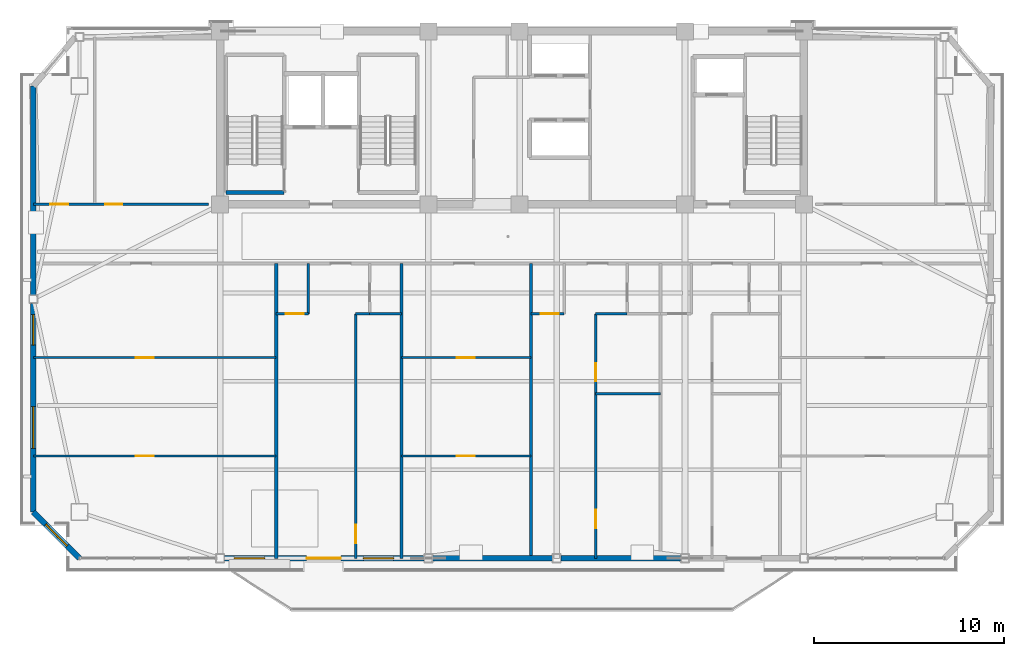
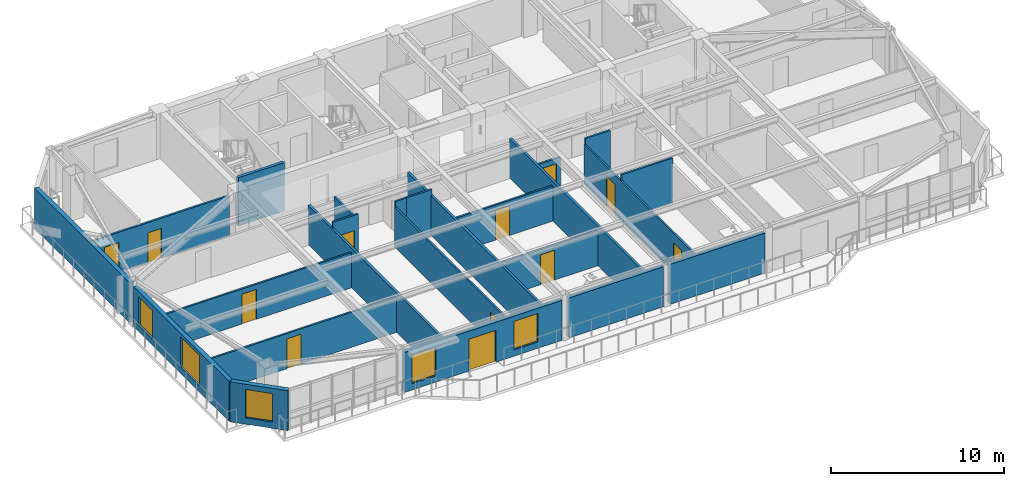
# One storey, part 7 of 15: 24 walls, 12 doors, 5 windows, 17 openings.
"""IFC4 building model written with IfcOpenShell, lengths in metres."""

from ifc_helpers import new_model, si_unit, direction, frame, frame_2d, origin, place, context, subcontext, project, spatial, rectangle, extrude, source, transform, mapped, material, layer, layer_set, type_object, element, fill, save


model = new_model("IFC4")

# Units and contexts
model_context = context("Model", 3, precision=1e-05, world=origin(), true_north=direction((0.0, 1.0)))
body_context = subcontext(model_context, "Body", "Model", "MODEL_VIEW")
ifc_project = project(units=[si_unit("LENGTHUNIT", "METRE"), si_unit("AREAUNIT", "SQUARE_METRE"), si_unit("VOLUMEUNIT", "CUBIC_METRE"), si_unit("PLANEANGLEUNIT", "RADIAN"), si_unit("MASSUNIT", "GRAM", prefix="KILO")], contexts=[model_context])

# Site, building, storey
site_placement = place(None, origin())
site = spatial("IfcSite", under=ifc_project, at=site_placement, CompositionType="ELEMENT")
building_placement = place(site_placement, origin())
building = spatial("IfcBuilding", under=site, at=building_placement, Name="Giltprow Tower", CompositionType="ELEMENT")
storey_placement = place(building_placement, frame((0.0, 0.0, 293.800048828125)))
storey = spatial("IfcBuildingStorey", under=building, at=storey_placement, Name="L75", CompositionType="ELEMENT", Elevation=293.800048828125)

# Wall, opening, window
ifc_material_1 = material(Name="Precast concrete C40", Category="concrete")
ifc_layer_1 = layer(ifc_material_1, 0.300048828125, Name="Precast concrete C40")
ifc_layer_set_1 = layer_set([ifc_layer_1], Name="Precast concrete C40")
wall_type_1 = type_object("IfcWallType", Name="EW-NOTCH-CHAMFER-300", PredefinedType="SOLIDWALL", material=ifc_layer_set_1)
wall_1_placement = place(storey_placement, frame((10.02392578125, 21.27197265625, 0.0), z_axis=(0.0, 0.0, 1.0), x_axis=(0.707142286536, -0.707071274055, 0.0)))
wall_1 = element("IfcWall", 1, at=wall_1_placement, inside=storey, type_object=wall_type_1, Name="L75 Corner Notch Wall SW", PredefinedType="SOLIDWALL", context=body_context, shape_type="SweptSolid", body=[
    extrude(rectangle(XDim=3.43798828125, YDim=0.300048828125, at=frame_2d((1.718994140625, 0.0))), origin(), (0.0, 0.0, 1.0), 2.81494140625),
])
opening_1_placement = place(wall_1_placement, frame((0.9189453125, 0.0, 0.449951171875)))
opening_1 = element("IfcOpeningElement", 2, at=opening_1_placement, cuts=wall_1, Name="Opening WN17", PredefinedType="OPENING", context=body_context, shape_type="SweptSolid", body=[
    extrude(rectangle(XDim=1.60009765625, YDim=2.0, at=frame_2d((0.800048828125, 1.0))), frame((0.0, 0.159912109375, 0.0), z_axis=(0.0, -1.0, 0.0), x_axis=(1.0, 0.0, 0.0)), (0.0, 0.0, 1.0), 0.320068359375),
])
ifc_material_2 = material(Name="Insulated glass", Category="glass")
window_type_1 = type_object("IfcWindowType", Name="WN-COR-1600x2000", PartitioningType="SINGLE_PANEL", PredefinedType="WINDOW", material=ifc_material_2)
shared_shape_1 = source(origin(), body_context, "Body", "SweptSolid", [
    extrude(rectangle(XDim=1.60009765625, YDim=2.0, at=frame_2d((0.800048828125, 1.0))), frame((0.0, 0.030029296875, 0.0), z_axis=(0.0, -1.0, 0.0), x_axis=(1.0, 0.0, 0.0)), (0.0, 0.0, 1.0), 0.06005859375),
])
window_1_placement = place(opening_1_placement, origin())
window_1 = element("IfcWindow", 3, at=window_1_placement, inside=storey, type_object=window_type_1, Name="L75 Corner Notch Window SW", OverallHeight=2.0, OverallWidth=1.60009765625, PartitioningType="SINGLE_PANEL", PredefinedType="WINDOW", context=body_context, shape_type="MappedRepresentation", body=[
    mapped(shared_shape_1, transform((0.0, 0.0, 0.0), x_axis=(1.0, 0.0, 0.0), y_axis=(0.0, 1.0, 0.0), z_axis=(0.0, 0.0, 1.0), scale=1.0)),
])
fill(opening_1, window_1)

# Wall, openings, windows, door
ifc_layer_2 = layer(ifc_material_1, 0.280029296875, Name="Precast concrete C40")
ifc_layer_set_2 = layer_set([ifc_layer_2], Name="Precast concrete C40")
wall_type_2 = type_object("IfcWallType", Name="EW-TOW-BRONZE-280", PredefinedType="SOLIDWALL", material=ifc_layer_set_2)
wall_2_placement = place(storey_placement, frame((20.074951171875, 18.841064453125, 0.0), z_axis=(0.0, 0.0, 1.0), x_axis=(1.0, 0.0, 0.0)))
wall_2 = element("IfcWall", 4, at=wall_2_placement, inside=storey, type_object=wall_type_2, Name="L75 South Expressed Frame Wall 2", PredefinedType="SOLIDWALL", context=body_context, shape_type="SweptSolid", body=[
    extrude(rectangle(XDim=10.5, YDim=0.280029296875, at=frame_2d((5.25, 0.0))), origin(), (0.0, 0.0, 1.0), 2.81494140625),
])
opening_2_placement = place(wall_2_placement, frame((4.324951171875, 0.0, 0.0)))
opening_2 = element("IfcOpeningElement", 5, at=opening_2_placement, cuts=wall_2, Name="Opening ED25", PredefinedType="OPENING", context=body_context, shape_type="SweptSolid", body=[
    extrude(rectangle(XDim=1.800048828125, YDim=2.25, at=frame_2d((0.89990234375, 1.125))), frame((0.0, 0.14990234375, 0.0), z_axis=(0.0, -1.0, 0.0), x_axis=(1.0, 0.0, 0.0)), (0.0, 0.0, 1.0), 0.300048828125),
])
opening_3_placement = place(wall_2_placement, frame((0.51708984375, 0.0, 0.449951171875)))
opening_3 = element("IfcOpeningElement", 6, at=opening_3_placement, cuts=wall_2, Name="Opening WN17", PredefinedType="OPENING", context=body_context, shape_type="SweptSolid", body=[
    extrude(rectangle(XDim=1.60009765625, YDim=2.0, at=frame_2d((0.800048828125, 1.0))), frame((0.0, 0.14990234375, 0.0), z_axis=(0.0, -1.0, 0.0), x_axis=(1.0, 0.0, 0.0)), (0.0, 0.0, 1.0), 0.300048828125),
])
opening_4_placement = place(wall_2_placement, frame((7.304931640625, 0.0, 0.449951171875)))
opening_4 = element("IfcOpeningElement", 7, at=opening_4_placement, cuts=wall_2, Name="Opening WN17", PredefinedType="OPENING", context=body_context, shape_type="SweptSolid", body=[
    extrude(rectangle(XDim=1.60009765625, YDim=2.0, at=frame_2d((0.800048828125, 1.0))), frame((0.0, 0.14990234375, 0.0), z_axis=(0.0, -1.0, 0.0), x_axis=(1.0, 0.0, 0.0)), (0.0, 0.0, 1.0), 0.300048828125),
])
window_2_placement = place(opening_3_placement, origin())
window_2 = element("IfcWindow", 8, at=window_2_placement, inside=storey, type_object=window_type_1, Name="L75 South Window 2A", OverallHeight=2.0, OverallWidth=1.60009765625, PartitioningType="SINGLE_PANEL", PredefinedType="WINDOW", context=body_context, shape_type="MappedRepresentation", body=[
    mapped(shared_shape_1, transform((0.0, 0.0, 0.0), x_axis=(1.0, 0.0, 0.0), y_axis=(0.0, 1.0, 0.0), z_axis=(0.0, 0.0, 1.0), scale=1.0)),
])
fill(opening_3, window_2)
window_3_placement = place(opening_4_placement, origin())
window_3 = element("IfcWindow", 9, at=window_3_placement, inside=storey, type_object=window_type_1, Name="L75 South Window 2B", OverallHeight=2.0, OverallWidth=1.60009765625, PartitioningType="SINGLE_PANEL", PredefinedType="WINDOW", context=body_context, shape_type="MappedRepresentation", body=[
    mapped(shared_shape_1, transform((0.0, 0.0, 0.0), x_axis=(1.0, 0.0, 0.0), y_axis=(0.0, 1.0, 0.0), z_axis=(0.0, 0.0, 1.0), scale=1.0)),
])
fill(opening_4, window_3)
ifc_material_3 = material(Name="Anodized bronze and glass", Category="glass")
door_type_1 = type_object("IfcDoorType", Name="DR-BALC-SLIDE-1800", OperationType="SLIDING_TO_LEFT", PredefinedType="DOOR", material=ifc_material_3)
shared_shape_2 = source(origin(), body_context, "Body", "SweptSolid", [
    extrude(rectangle(XDim=1.800048828125, YDim=2.25, at=frame_2d((0.89990234375, 1.125))), frame((0.0, 0.02490234375, 0.0), z_axis=(0.0, -1.0, 0.0), x_axis=(1.0, 0.0, 0.0)), (0.0, 0.0, 1.0), 0.050048828125),
])
door_1_placement = place(opening_2_placement, origin())
door_1 = element("IfcDoor", 10, at=door_1_placement, inside=storey, type_object=door_type_1, Name="L75 Waterfront Balcony Sliding Door 1", OperationType="SLIDING_TO_LEFT", OverallHeight=2.25, OverallWidth=1.800048828125, PredefinedType="DOOR", context=body_context, shape_type="MappedRepresentation", body=[
    mapped(shared_shape_2, transform((0.0, 0.0, 0.0), x_axis=(1.0, 0.0, 0.0), y_axis=(0.0, 1.0, 0.0), z_axis=(0.0, 0.0, 1.0), scale=1.0)),
])
fill(opening_2, door_1)

# Walls
for number, where, z_axis, x_axis, name in (
    (11, (31.02490234375, 18.841064453125, 0.0), (0.0, 0.0, 1.0), (1.0, 0.0, 0.0), "L75 South Expressed Frame Wall 3"),
    (12, (37.77490234375, 18.841064453125, 0.0), (0.0, 0.0, 1.0), (1.0, 0.0, 0.0), "L75 South Expressed Frame Wall 4"),
):
    element("IfcWall", number, at=place(storey_placement, frame(where, z_axis=z_axis, x_axis=x_axis)), inside=storey, type_object=wall_type_2, Name=name, PredefinedType="SOLIDWALL", context=body_context, shape_type="SweptSolid", body=[
        extrude(rectangle(XDim=6.300048828125, YDim=0.280029296875, at=frame_2d((3.14990234375, 0.0))), origin(), (0.0, 0.0, 1.0), 2.81494140625),
    ])

# Wall, openings, windows
wall_3_placement = place(storey_placement, frame((10.02392578125, 21.27197265625, 0.0), z_axis=(0.0, 0.0, 1.0), x_axis=(0.0, 1.0, 0.0)))
wall_3 = element("IfcWall", 13, at=wall_3_placement, inside=storey, type_object=wall_type_2, Name="L75 W Wing Masonry Wall 1", PredefinedType="SOLIDWALL", context=body_context, shape_type="SweptSolid", body=[
    extrude(rectangle(XDim=10.97412109375, YDim=0.280029296875, at=frame_2d((5.487060546875, 0.0))), origin(), (0.0, 0.0, 1.0), 2.81494140625),
])
opening_5_placement = place(wall_3_placement, frame((3.346923828125, 0.0, 0.449951171875)))
opening_5 = element("IfcOpeningElement", 14, at=opening_5_placement, cuts=wall_3, Name="Opening WN27", PredefinedType="OPENING", context=body_context, shape_type="SweptSolid", body=[
    extrude(rectangle(XDim=2.199951171875, YDim=2.10009765625, at=frame_2d((1.10009765625, 1.050048828125))), frame((0.0, 0.14990234375, 0.0), z_axis=(0.0, -1.0, 0.0), x_axis=(1.0, 0.0, 0.0)), (0.0, 0.0, 1.0), 0.300048828125),
])
opening_6_placement = place(wall_3_placement, frame((8.783935546875, 0.0, 0.449951171875)))
opening_6 = element("IfcOpeningElement", 15, at=opening_6_placement, cuts=wall_3, Name="Opening WN17", PredefinedType="OPENING", context=body_context, shape_type="SweptSolid", body=[
    extrude(rectangle(XDim=1.60009765625, YDim=2.0, at=frame_2d((0.800048828125, 1.0))), frame((0.0, 0.14990234375, 0.0), z_axis=(0.0, -1.0, 0.0), x_axis=(1.0, 0.0, 0.0)), (0.0, 0.0, 1.0), 0.300048828125),
])
window_4_placement = place(opening_6_placement, origin())
window_4 = element("IfcWindow", 16, at=window_4_placement, inside=storey, type_object=window_type_1, Name="L75 W Wing Window 1-1B", OverallHeight=2.0, OverallWidth=1.60009765625, PartitioningType="SINGLE_PANEL", PredefinedType="WINDOW", context=body_context, shape_type="MappedRepresentation", body=[
    mapped(shared_shape_1, transform((0.0, 0.0, 0.0), x_axis=(1.0, 0.0, 0.0), y_axis=(0.0, 1.0, 0.0), z_axis=(0.0, 0.0, 1.0), scale=1.0)),
])
fill(opening_6, window_4)
window_type_2 = type_object("IfcWindowType", Name="WN-RES-2200x2100", PartitioningType="TRIPLE_PANEL_VERTICAL", PredefinedType="WINDOW", material=ifc_material_2)
shared_shape_3 = source(origin(), body_context, "Body", "SweptSolid", [
    extrude(rectangle(XDim=2.199951171875, YDim=2.10009765625, at=frame_2d((1.10009765625, 1.050048828125))), frame((0.0, 0.030029296875, 0.0), z_axis=(0.0, -1.0, 0.0), x_axis=(1.0, 0.0, 0.0)), (0.0, 0.0, 1.0), 0.06005859375),
])
window_5_placement = place(opening_5_placement, origin())
window_5 = element("IfcWindow", 17, at=window_5_placement, inside=storey, type_object=window_type_2, Name="L75 W Wing Window 1-1A", OverallHeight=2.10009765625, OverallWidth=2.199951171875, PartitioningType="SINGLE_PANEL", PredefinedType="WINDOW", context=body_context, shape_type="MappedRepresentation", body=[
    mapped(shared_shape_3, transform((0.0, 0.0, 0.0), x_axis=(1.0, 0.0, 0.0), y_axis=(0.0, 1.0, 0.0), z_axis=(0.0, 0.0, 1.0), scale=1.0)),
])
fill(opening_5, window_5)

# Walls
wall_4_placement = place(storey_placement, frame((10.02392578125, 32.696044921875, 0.0), z_axis=(0.0, 0.0, 1.0), x_axis=(0.0, 1.0, 0.0)))
element("IfcWall", 18, at=wall_4_placement, inside=storey, type_object=wall_type_2, Name="L75 W Wing Masonry Wall 2", PredefinedType="SOLIDWALL", context=body_context, shape_type="SweptSolid", body=[
    extrude(rectangle(XDim=10.972900390625, YDim=0.280029296875, at=frame_2d((5.486328125, 0.0))), origin(), (0.0, 0.0, 1.0), 2.81494140625),
])
ifc_material_4 = material(Name="Gypsum stud partition", Category="gypsum")
ifc_layer_3 = layer(ifc_material_4, 0.159912109375, Name="Gypsum stud partition")
ifc_layer_set_3 = layer_set([ifc_layer_3], Name="Gypsum stud partition")
wall_type_3 = type_object("IfcWallType", Name="IW-DEMISE-160", PredefinedType="PARTITIONING", material=ifc_layer_set_3)
for number, where, z_axis, x_axis, name in (
    (19, (22.800048828125, 18.841064453125, 0.0), (0.0, 0.0, 1.0), (0.0, 1.0, 0.0), "L75 Apartment Party Wall 1"),
    (20, (29.39990234375, 18.841064453125, 0.0), (0.0, 0.0, 1.0), (0.0, 1.0, 0.0), "L75 Apartment Party Wall 2"),
    (21, (36.199951171875, 18.841064453125, 0.0), (0.0, 0.0, 1.0), (0.0, 1.0, 0.0), "L75 Apartment Party Wall 3"),
):
    element("IfcWall", number, at=place(storey_placement, frame(where, z_axis=z_axis, x_axis=x_axis)), inside=storey, type_object=wall_type_3, Name=name, PredefinedType="PARTITIONING", context=body_context, shape_type="SweptSolid", body=[
        extrude(rectangle(XDim=15.509033203125, YDim=0.159912109375, at=frame_2d((7.75439453125, 0.0))), origin(), (0.0, 0.0, 1.0), 2.77001953125),
    ])

# Wall, opening, door
ifc_layer_4 = layer(ifc_material_4, 0.1201171875, Name="Gypsum stud partition")
ifc_layer_set_4 = layer_set([ifc_layer_4], Name="Gypsum stud partition")
wall_type_4 = type_object("IfcWallType", Name="IW-ROOM-120", PredefinedType="PARTITIONING", material=ifc_layer_set_4)
wall_5_placement = place(storey_placement, frame((10.02392578125, 24.218994140625, 0.0), z_axis=(0.0, 0.0, 1.0), x_axis=(1.0, 0.0, 0.0)))
wall_5 = element("IfcWall", 22, at=wall_5_placement, inside=storey, type_object=wall_type_4, Name="L75 Special Split 1", PredefinedType="PARTITIONING", context=body_context, shape_type="SweptSolid", body=[
    extrude(rectangle(XDim=12.776123046875, YDim=0.1201171875, at=frame_2d((6.38818359375, 0.0))), origin(), (0.0, 0.0, 1.0), 2.469970703125),
])
opening_7_placement = place(wall_5_placement, frame((5.39599609375, 0.0, 0.0)))
opening_7 = element("IfcOpeningElement", 23, at=opening_7_placement, cuts=wall_5, Name="Opening ID11", PredefinedType="OPENING", context=body_context, shape_type="SweptSolid", body=[
    extrude(rectangle(XDim=0.949951171875, YDim=2.10009765625, at=frame_2d((0.47509765625, 1.050048828125))), frame((0.0, 0.070068359375, 0.0), z_axis=(0.0, -1.0, 0.0), x_axis=(1.0, 0.0, 0.0)), (0.0, 0.0, 1.0), 0.14013671875),
])
ifc_material_5 = material(Name="Engineered timber", Category="wood")
door_type_2 = type_object("IfcDoorType", Name="DR-ROOM-950", OperationType="SINGLE_SWING_RIGHT", PredefinedType="DOOR", material=ifc_material_5)
shared_shape_4 = source(origin(), body_context, "Body", "SweptSolid", [
    extrude(rectangle(XDim=0.949951171875, YDim=2.10009765625, at=frame_2d((0.47509765625, 1.050048828125))), frame((0.0, 0.02490234375, 0.0), z_axis=(0.0, -1.0, 0.0), x_axis=(1.0, 0.0, 0.0)), (0.0, 0.0, 1.0), 0.050048828125),
])
door_2_placement = place(opening_7_placement, origin())
door_2 = element("IfcDoor", 24, at=door_2_placement, inside=storey, type_object=door_type_2, Name="L75 Altitude Pilates Gym 1 South Door", OperationType="SINGLE_SWING_LEFT", OverallHeight=2.10009765625, OverallWidth=0.949951171875, PredefinedType="DOOR", context=body_context, shape_type="MappedRepresentation", body=[
    mapped(shared_shape_4, transform((0.0, 0.0, 0.0), x_axis=(1.0, 0.0, 0.0), y_axis=(0.0, 1.0, 0.0), z_axis=(0.0, 0.0, 1.0), scale=1.0)),
])
fill(opening_7, door_2)

wall_6_placement = place(storey_placement, frame((10.02392578125, 29.39697265625, 0.0), z_axis=(0.0, 0.0, 1.0), x_axis=(1.0, 0.0, 0.0)))
wall_6 = element("IfcWall", 25, at=wall_6_placement, inside=storey, type_object=wall_type_4, Name="L75 Special Split 2", PredefinedType="PARTITIONING", context=body_context, shape_type="SweptSolid", body=[
    extrude(rectangle(XDim=12.776123046875, YDim=0.1201171875, at=frame_2d((6.38818359375, 0.0))), origin(), (0.0, 0.0, 1.0), 2.469970703125),
])
opening_8_placement = place(wall_6_placement, frame((5.39599609375, 0.0, 0.0)))
opening_8 = element("IfcOpeningElement", 26, at=opening_8_placement, cuts=wall_6, Name="Opening ID11", PredefinedType="OPENING", context=body_context, shape_type="SweptSolid", body=[
    extrude(rectangle(XDim=0.949951171875, YDim=2.10009765625, at=frame_2d((0.47509765625, 1.050048828125))), frame((0.0, 0.070068359375, 0.0), z_axis=(0.0, -1.0, 0.0), x_axis=(1.0, 0.0, 0.0)), (0.0, 0.0, 1.0), 0.14013671875),
])
door_3_placement = place(opening_8_placement, origin())
door_3 = element("IfcDoor", 27, at=door_3_placement, inside=storey, type_object=door_type_2, Name="L75 Altitude Pilates Gym 1 Mid Door", OperationType="SINGLE_SWING_RIGHT", OverallHeight=2.10009765625, OverallWidth=0.949951171875, PredefinedType="DOOR", context=body_context, shape_type="MappedRepresentation", body=[
    mapped(shared_shape_4, transform((0.0, 0.0, 0.0), x_axis=(1.0, 0.0, 0.0), y_axis=(0.0, 1.0, 0.0), z_axis=(0.0, 0.0, 1.0), scale=1.0)),
])
fill(opening_8, door_3)

# Wall
wall_7_placement = place(storey_placement, frame((26.97998046875, 31.699951171875, 0.0), z_axis=(0.0, 0.0, 1.0), x_axis=(1.0, 0.0, 0.0)))
element("IfcWall", 28, at=wall_7_placement, inside=storey, type_object=wall_type_4, Name="L75 Unit 1 Bedroom North Wall", PredefinedType="PARTITIONING", context=body_context, shape_type="SweptSolid", body=[
    extrude(rectangle(XDim=0.72998046875, YDim=0.1201171875, at=frame_2d((0.364990234375, 0.0))), origin(), (0.0, 0.0, 1.0), 3.18505859375),
])

# Wall, opening, door
wall_8_placement = place(storey_placement, frame((26.97998046875, 18.841064453125, 0.0), z_axis=(0.0, 0.0, 1.0), x_axis=(0.0, 1.0, 0.0)))
wall_8 = element("IfcWall", 29, at=wall_8_placement, inside=storey, type_object=wall_type_4, Name="L75 Unit 1 Bedroom Wall", PredefinedType="PARTITIONING", context=body_context, shape_type="SweptSolid", body=[
    extrude(rectangle(XDim=12.85888671875, YDim=0.1201171875, at=frame_2d((6.429443359375, 0.0))), origin(), (0.0, 0.0, 1.0), 2.77001953125),
])
opening_9_placement = place(wall_8_placement, frame((0.800048828125, 0.0, 0.0)))
opening_9 = element("IfcOpeningElement", 30, at=opening_9_placement, cuts=wall_8, Name="Opening ID11", PredefinedType="OPENING", context=body_context, shape_type="SweptSolid", body=[
    extrude(rectangle(XDim=0.949951171875, YDim=2.10009765625, at=frame_2d((0.47509765625, 1.050048828125))), frame((0.0, 0.070068359375, 0.0), z_axis=(0.0, -1.0, 0.0), x_axis=(1.0, 0.0, 0.0)), (0.0, 0.0, 1.0), 0.14013671875),
])
door_4_placement = place(opening_9_placement, origin())
door_4 = element("IfcDoor", 31, at=door_4_placement, inside=storey, type_object=door_type_2, Name="L75 Unit 1 Primary Bedroom Door", OperationType="SINGLE_SWING_LEFT", OverallHeight=2.10009765625, OverallWidth=0.949951171875, PredefinedType="DOOR", context=body_context, shape_type="MappedRepresentation", body=[
    mapped(shared_shape_4, transform((0.0, 0.0, 0.0), x_axis=(1.0, 0.0, 0.0), y_axis=(0.0, 1.0, 0.0), z_axis=(0.0, 0.0, 1.0), scale=1.0)),
])
fill(opening_9, door_4)

wall_9_placement = place(storey_placement, frame((29.39990234375, 24.218994140625, 0.0), z_axis=(0.0, 0.0, 1.0), x_axis=(1.0, 0.0, 0.0)))
wall_9 = element("IfcWall", 32, at=wall_9_placement, inside=storey, type_object=wall_type_4, Name="L75 Special Split 1", PredefinedType="PARTITIONING", context=body_context, shape_type="SweptSolid", body=[
    extrude(rectangle(XDim=6.800048828125, YDim=0.1201171875, at=frame_2d((3.39990234375, 0.0))), origin(), (0.0, 0.0, 1.0), 2.469970703125),
])
opening_10_placement = place(wall_9_placement, frame((2.885986328125, 0.0, 0.0)))
opening_10 = element("IfcOpeningElement", 33, at=opening_10_placement, cuts=wall_9, Name="Opening ID11", PredefinedType="OPENING", context=body_context, shape_type="SweptSolid", body=[
    extrude(rectangle(XDim=0.949951171875, YDim=2.10009765625, at=frame_2d((0.47509765625, 1.050048828125))), frame((0.0, 0.070068359375, 0.0), z_axis=(0.0, -1.0, 0.0), x_axis=(1.0, 0.0, 0.0)), (0.0, 0.0, 1.0), 0.14013671875),
])
door_5_placement = place(opening_10_placement, origin())
door_5 = element("IfcDoor", 34, at=door_5_placement, inside=storey, type_object=door_type_2, Name="L75 Meditation Gym 2 South Door", OperationType="SINGLE_SWING_RIGHT", OverallHeight=2.10009765625, OverallWidth=0.949951171875, PredefinedType="DOOR", context=body_context, shape_type="MappedRepresentation", body=[
    mapped(shared_shape_4, transform((0.0, 0.0, 0.0), x_axis=(1.0, 0.0, 0.0), y_axis=(0.0, 1.0, 0.0), z_axis=(0.0, 0.0, 1.0), scale=1.0)),
])
fill(opening_10, door_5)

wall_10_placement = place(storey_placement, frame((29.39990234375, 29.39697265625, 0.0), z_axis=(0.0, 0.0, 1.0), x_axis=(1.0, 0.0, 0.0)))
wall_10 = element("IfcWall", 35, at=wall_10_placement, inside=storey, type_object=wall_type_4, Name="L75 Special Split 2", PredefinedType="PARTITIONING", context=body_context, shape_type="SweptSolid", body=[
    extrude(rectangle(XDim=6.800048828125, YDim=0.1201171875, at=frame_2d((3.39990234375, 0.0))), origin(), (0.0, 0.0, 1.0), 2.469970703125),
])
opening_11_placement = place(wall_10_placement, frame((2.885986328125, 0.0, 0.0)))
opening_11 = element("IfcOpeningElement", 36, at=opening_11_placement, cuts=wall_10, Name="Opening ID11", PredefinedType="OPENING", context=body_context, shape_type="SweptSolid", body=[
    extrude(rectangle(XDim=0.949951171875, YDim=2.10009765625, at=frame_2d((0.47509765625, 1.050048828125))), frame((0.0, 0.070068359375, 0.0), z_axis=(0.0, -1.0, 0.0), x_axis=(1.0, 0.0, 0.0)), (0.0, 0.0, 1.0), 0.14013671875),
])
door_6_placement = place(opening_11_placement, origin())
door_6 = element("IfcDoor", 37, at=door_6_placement, inside=storey, type_object=door_type_2, Name="L75 Meditation Gym 2 Mid Door", OperationType="SINGLE_SWING_LEFT", OverallHeight=2.10009765625, OverallWidth=0.949951171875, PredefinedType="DOOR", context=body_context, shape_type="MappedRepresentation", body=[
    mapped(shared_shape_4, transform((0.0, 0.0, 0.0), x_axis=(1.0, 0.0, 0.0), y_axis=(0.0, 1.0, 0.0), z_axis=(0.0, 0.0, 1.0), scale=1.0)),
])
fill(opening_11, door_6)

# Wall
wall_11_placement = place(storey_placement, frame((39.60009765625, 31.699951171875, 0.0), z_axis=(0.0, 0.0, 1.0), x_axis=(1.0, 0.0, 0.0)))
element("IfcWall", 38, at=wall_11_placement, inside=storey, type_object=wall_type_4, Name="L75 Unit 2 Bedroom North Wall", PredefinedType="PARTITIONING", context=body_context, shape_type="SweptSolid", body=[
    extrude(rectangle(XDim=1.659912109375, YDim=0.1201171875, at=frame_2d((0.830078125, 0.0))), origin(), (0.0, 0.0, 1.0), 3.18505859375),
])

# Wall, openings, doors
wall_12_placement = place(storey_placement, frame((39.60009765625, 18.841064453125, 0.0), z_axis=(0.0, 0.0, 1.0), x_axis=(0.0, 1.0, 0.0)))
wall_12 = element("IfcWall", 39, at=wall_12_placement, inside=storey, type_object=wall_type_4, Name="L75 Unit 2 Bedroom Wall", PredefinedType="PARTITIONING", context=body_context, shape_type="SweptSolid", body=[
    extrude(rectangle(XDim=12.85888671875, YDim=0.1201171875, at=frame_2d((6.429443359375, 0.0))), origin(), (0.0, 0.0, 1.0), 2.77001953125),
])
opening_12_placement = place(wall_12_placement, frame((1.590087890625, 0.0, 0.0)))
opening_12 = element("IfcOpeningElement", 40, at=opening_12_placement, cuts=wall_12, Name="Opening ID11", PredefinedType="OPENING", context=body_context, shape_type="SweptSolid", body=[
    extrude(rectangle(XDim=0.949951171875, YDim=2.10009765625, at=frame_2d((0.47509765625, 1.050048828125))), frame((0.0, 0.070068359375, 0.0), z_axis=(0.0, -1.0, 0.0), x_axis=(1.0, 0.0, 0.0)), (0.0, 0.0, 1.0), 0.14013671875),
])
opening_13_placement = place(wall_12_placement, frame((9.299072265625, 0.0, 0.0)))
opening_13 = element("IfcOpeningElement", 41, at=opening_13_placement, cuts=wall_12, Name="Opening ID11", PredefinedType="OPENING", context=body_context, shape_type="SweptSolid", body=[
    extrude(rectangle(XDim=0.949951171875, YDim=2.10009765625, at=frame_2d((0.47509765625, 1.050048828125))), frame((0.0, 0.070068359375, 0.0), z_axis=(0.0, -1.0, 0.0), x_axis=(1.0, 0.0, 0.0)), (0.0, 0.0, 1.0), 0.14013671875),
])
door_7_placement = place(opening_12_placement, origin())
door_7 = element("IfcDoor", 42, at=door_7_placement, inside=storey, type_object=door_type_2, Name="L75 Unit 2 Primary Bedroom Door", OperationType="SINGLE_SWING_RIGHT", OverallHeight=2.10009765625, OverallWidth=0.949951171875, PredefinedType="DOOR", context=body_context, shape_type="MappedRepresentation", body=[
    mapped(shared_shape_4, transform((0.0, 0.0, 0.0), x_axis=(1.0, 0.0, 0.0), y_axis=(0.0, 1.0, 0.0), z_axis=(0.0, 0.0, 1.0), scale=1.0)),
])
fill(opening_12, door_7)
door_8_placement = place(opening_13_placement, origin())
door_8 = element("IfcDoor", 43, at=door_8_placement, inside=storey, type_object=door_type_2, Name="L75 Unit 2 Second Bedroom Door", OperationType="SINGLE_SWING_LEFT", OverallHeight=2.10009765625, OverallWidth=0.949951171875, PredefinedType="DOOR", context=body_context, shape_type="MappedRepresentation", body=[
    mapped(shared_shape_4, transform((0.0, 0.0, 0.0), x_axis=(1.0, 0.0, 0.0), y_axis=(0.0, 1.0, 0.0), z_axis=(0.0, 0.0, 1.0), scale=1.0)),
])
fill(opening_13, door_8)

# Walls
wall_13_placement = place(storey_placement, frame((39.60009765625, 27.5, 0.0), z_axis=(0.0, 0.0, 1.0), x_axis=(1.0, 0.0, 0.0)))
element("IfcWall", 44, at=wall_13_placement, inside=storey, type_object=wall_type_4, Name="L75 Unit 2 Second Bedroom Wall", PredefinedType="PARTITIONING", context=body_context, shape_type="SweptSolid", body=[
    extrude(rectangle(XDim=3.39990234375, YDim=0.1201171875, at=frame_2d((1.699951171875, 0.0))), origin(), (0.0, 0.0, 1.0), 3.18505859375),
])
ifc_material_6 = material(Name="Concrete C40", Category="concrete")
ifc_layer_5 = layer(ifc_material_6, 0.199951171875, Name="Concrete C40")
ifc_layer_set_5 = layer_set([ifc_layer_5], Name="Concrete C40")
wall_type_5 = type_object("IfcWallType", Name="IW-STAIR-200", PredefinedType="SOLIDWALL", material=ifc_layer_set_5)
wall_14_placement = place(storey_placement, frame((20.169921875, 38.070068359375, 0.0), z_axis=(0.0, 0.0, 1.0), x_axis=(1.0, 0.0, 0.0)))
element("IfcWall", 45, at=wall_14_placement, inside=storey, type_object=wall_type_5, Name="L75 Stair ST-1 South Bearing Wall", PredefinedType="SOLIDWALL", context=body_context, shape_type="SweptSolid", body=[
    extrude(rectangle(XDim=3.050048828125, YDim=0.199951171875, at=frame_2d((1.52490234375, 0.0))), origin(), (0.0, 0.0, 1.0), 3.39990234375),
])

# Wall, opening, door
ifc_material_7 = material(Name="Concrete C30", Category="concrete")
ifc_layer_6 = layer(ifc_material_7, 0.1298828125, Name="Concrete C30")
ifc_layer_set_6 = layer_set([ifc_layer_6], Name="Concrete C30")
wall_type_6 = type_object("IfcWallType", Name="IW-WET-130", PredefinedType="PARTITIONING", material=ifc_layer_set_6)
wall_15_placement = place(storey_placement, frame((22.800048828125, 31.699951171875, 0.0), z_axis=(0.0, 0.0, 1.0), x_axis=(1.0, 0.0, 0.0)))
wall_15 = element("IfcWall", 46, at=wall_15_placement, inside=storey, type_object=wall_type_6, Name="L75 Unit 1 Kitchen South Wall", PredefinedType="PARTITIONING", context=body_context, shape_type="SweptSolid", body=[
    extrude(rectangle(XDim=1.68994140625, YDim=0.1298828125, at=frame_2d((0.844970703125, 0.0))), origin(), (0.0, 0.0, 1.0), 3.18505859375),
])
opening_14_placement = place(wall_15_placement, frame((0.489990234375, 0.0, 0.0)))
opening_14 = element("IfcOpeningElement", 47, at=opening_14_placement, cuts=wall_15, Name="Opening ID11", PredefinedType="OPENING", context=body_context, shape_type="SweptSolid", body=[
    extrude(rectangle(XDim=0.949951171875, YDim=2.10009765625, at=frame_2d((0.47509765625, 1.050048828125))), frame((0.0, 0.074951171875, 0.0), z_axis=(0.0, -1.0, 0.0), x_axis=(1.0, 0.0, 0.0)), (0.0, 0.0, 1.0), 0.14990234375),
])
door_9_placement = place(opening_14_placement, origin())
door_9 = element("IfcDoor", 48, at=door_9_placement, inside=storey, type_object=door_type_2, Name="L75 Unit 1 Kitchen Door", OperationType="SINGLE_SWING_LEFT", OverallHeight=2.10009765625, OverallWidth=0.949951171875, PredefinedType="DOOR", context=body_context, shape_type="MappedRepresentation", body=[
    mapped(shared_shape_4, transform((0.0, 0.0, 0.0), x_axis=(1.0, 0.0, 0.0), y_axis=(0.0, 1.0, 0.0), z_axis=(0.0, 0.0, 1.0), scale=1.0)),
])
fill(opening_14, door_9)

# Walls
wall_16_placement = place(storey_placement, frame((24.489990234375, 31.699951171875, 0.0), z_axis=(0.0, 0.0, 1.0), x_axis=(0.0, 1.0, 0.0)))
element("IfcWall", 49, at=wall_16_placement, inside=storey, type_object=wall_type_6, Name="L75 Unit 1 Kitchen East Wall", PredefinedType="PARTITIONING", context=body_context, shape_type="SweptSolid", body=[
    extrude(rectangle(XDim=2.650146484375, YDim=0.1298828125, at=frame_2d((1.3251953125, 0.0))), origin(), (0.0, 0.0, 1.0), 2.77001953125),
])
wall_17_placement = place(storey_placement, frame((27.7099609375, 31.699951171875, 0.0), z_axis=(0.0, 0.0, 1.0), x_axis=(1.0, 0.0, 0.0)))
element("IfcWall", 50, at=wall_17_placement, inside=storey, type_object=wall_type_6, Name="L75 Unit 1 Bathroom South Wall", PredefinedType="PARTITIONING", context=body_context, shape_type="SweptSolid", body=[
    extrude(rectangle(XDim=1.68994140625, YDim=0.1298828125, at=frame_2d((0.844970703125, 0.0))), origin(), (0.0, 0.0, 1.0), 3.18505859375),
])

# Wall, opening, door
wall_18_placement = place(storey_placement, frame((36.199951171875, 31.699951171875, 0.0), z_axis=(0.0, 0.0, 1.0), x_axis=(1.0, 0.0, 0.0)))
wall_18 = element("IfcWall", 51, at=wall_18_placement, inside=storey, type_object=wall_type_6, Name="L75 Unit 2 Kitchen South Wall", PredefinedType="PARTITIONING", context=body_context, shape_type="SweptSolid", body=[
    extrude(rectangle(XDim=1.739990234375, YDim=0.1298828125, at=frame_2d((0.8701171875, 0.0))), origin(), (0.0, 0.0, 1.0), 2.469970703125),
])
opening_15_placement = place(wall_18_placement, frame((0.514892578125, 0.0, 0.0)))
opening_15 = element("IfcOpeningElement", 52, at=opening_15_placement, cuts=wall_18, Name="Opening ID11", PredefinedType="OPENING", context=body_context, shape_type="SweptSolid", body=[
    extrude(rectangle(XDim=0.949951171875, YDim=2.10009765625, at=frame_2d((0.47509765625, 1.050048828125))), frame((0.0, 0.074951171875, 0.0), z_axis=(0.0, -1.0, 0.0), x_axis=(1.0, 0.0, 0.0)), (0.0, 0.0, 1.0), 0.14990234375),
])
door_10_placement = place(opening_15_placement, origin())
door_10 = element("IfcDoor", 53, at=door_10_placement, inside=storey, type_object=door_type_2, Name="L75 Unit 2 Kitchen Door", OperationType="SINGLE_SWING_RIGHT", OverallHeight=2.10009765625, OverallWidth=0.949951171875, PredefinedType="DOOR", context=body_context, shape_type="MappedRepresentation", body=[
    mapped(shared_shape_4, transform((0.0, 0.0, 0.0), x_axis=(1.0, 0.0, 0.0), y_axis=(0.0, 1.0, 0.0), z_axis=(0.0, 0.0, 1.0), scale=1.0)),
])
fill(opening_15, door_10)

# Wall, openings, doors
wall_19_placement = place(storey_placement, frame((10.02392578125, 37.449951171875, 0.0), z_axis=(0.0, 0.0, 1.0), x_axis=(1.0, 0.0, 0.0)))
wall_19 = element("IfcWall", 54, at=wall_19_placement, inside=storey, type_object=wall_type_6, Name="L75 NW Wing South Wall", PredefinedType="PARTITIONING", context=body_context, shape_type="SweptSolid", body=[
    extrude(rectangle(XDim=9.22607421875, YDim=0.1298828125, at=frame_2d((4.613037109375, 0.0))), origin(), (0.0, 0.0, 1.0), 2.820068359375),
])
opening_16_placement = place(wall_19_placement, frame((0.89990234375, 0.0, 0.0)))
opening_16 = element("IfcOpeningElement", 55, at=opening_16_placement, cuts=wall_19, Name="Opening ID11", PredefinedType="OPENING", context=body_context, shape_type="SweptSolid", body=[
    extrude(rectangle(XDim=0.949951171875, YDim=2.10009765625, at=frame_2d((0.47509765625, 1.050048828125))), frame((0.0, 0.074951171875, 0.0), z_axis=(0.0, -1.0, 0.0), x_axis=(1.0, 0.0, 0.0)), (0.0, 0.0, 1.0), 0.14990234375),
])
opening_17_placement = place(wall_19_placement, frame((3.784912109375, 0.0, 0.0)))
opening_17 = element("IfcOpeningElement", 56, at=opening_17_placement, cuts=wall_19, Name="Opening ID15", PredefinedType="OPENING", context=body_context, shape_type="SweptSolid", body=[
    extrude(rectangle(XDim=0.89990234375, YDim=2.10009765625, at=frame_2d((0.449951171875, 1.050048828125))), frame((0.0, 0.074951171875, 0.0), z_axis=(0.0, -1.0, 0.0), x_axis=(1.0, 0.0, 0.0)), (0.0, 0.0, 1.0), 0.14990234375),
])
door_type_3 = type_object("IfcDoorType", Name="DR-WC-900", OperationType="SINGLE_SWING_LEFT", PredefinedType="DOOR", material=ifc_material_5)
shared_shape_5 = source(origin(), body_context, "Body", "SweptSolid", [
    extrude(rectangle(XDim=0.89990234375, YDim=2.10009765625, at=frame_2d((0.449951171875, 1.050048828125))), frame((0.0, 0.02490234375, 0.0), z_axis=(0.0, -1.0, 0.0), x_axis=(1.0, 0.0, 0.0)), (0.0, 0.0, 1.0), 0.050048828125),
])
door_11_placement = place(opening_17_placement, origin())
door_11 = element("IfcDoor", 57, at=door_11_placement, inside=storey, type_object=door_type_3, Name="L75 NW Washroom Door", OperationType="SINGLE_SWING_LEFT", OverallHeight=2.10009765625, OverallWidth=0.89990234375, PredefinedType="DOOR", context=body_context, shape_type="MappedRepresentation", body=[
    mapped(shared_shape_5, transform((0.0, 0.0, 0.0), x_axis=(1.0, 0.0, 0.0), y_axis=(0.0, 1.0, 0.0), z_axis=(0.0, 0.0, 1.0), scale=1.0)),
])
fill(opening_17, door_11)
door_12_placement = place(opening_16_placement, origin())
door_12 = element("IfcDoor", 58, at=door_12_placement, inside=storey, type_object=door_type_2, Name="L75 Residents Study Office West Door", OperationType="SINGLE_SWING_RIGHT", OverallHeight=2.10009765625, OverallWidth=0.949951171875, PredefinedType="DOOR", context=body_context, shape_type="MappedRepresentation", body=[
    mapped(shared_shape_4, transform((0.0, 0.0, 0.0), x_axis=(1.0, 0.0, 0.0), y_axis=(0.0, 1.0, 0.0), z_axis=(0.0, 0.0, 1.0), scale=1.0)),
])
fill(opening_16, door_12)

save(model, "model.ifc")
